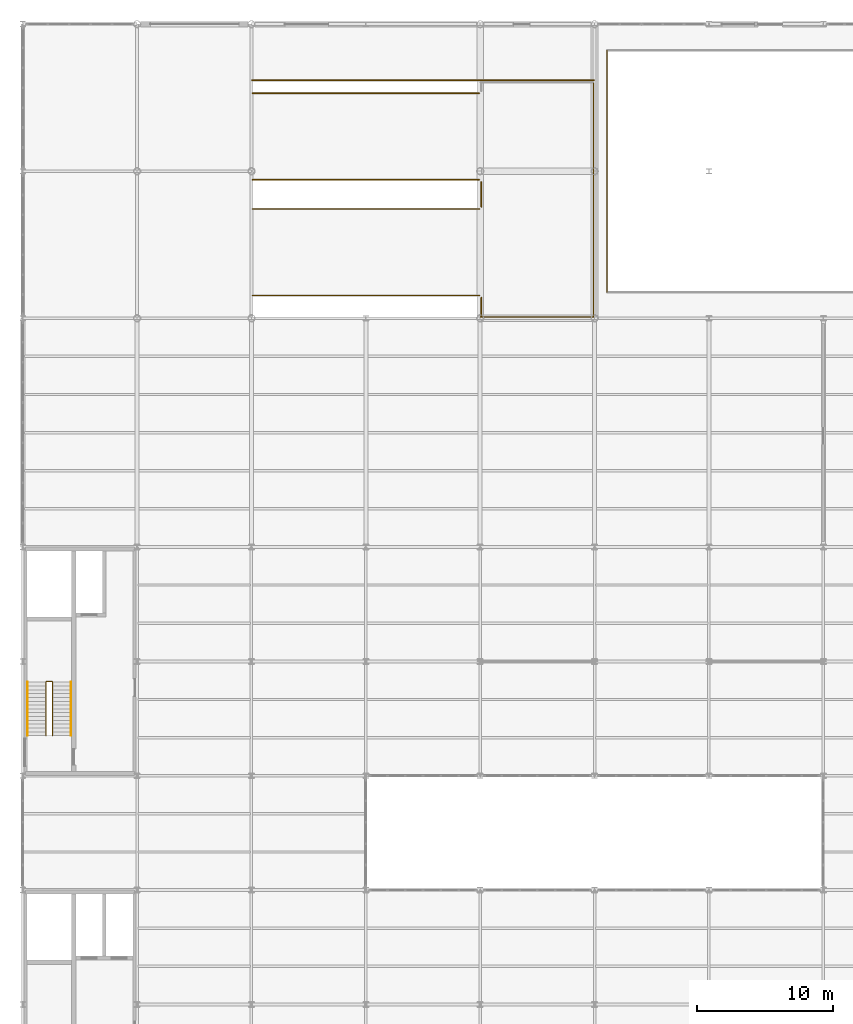
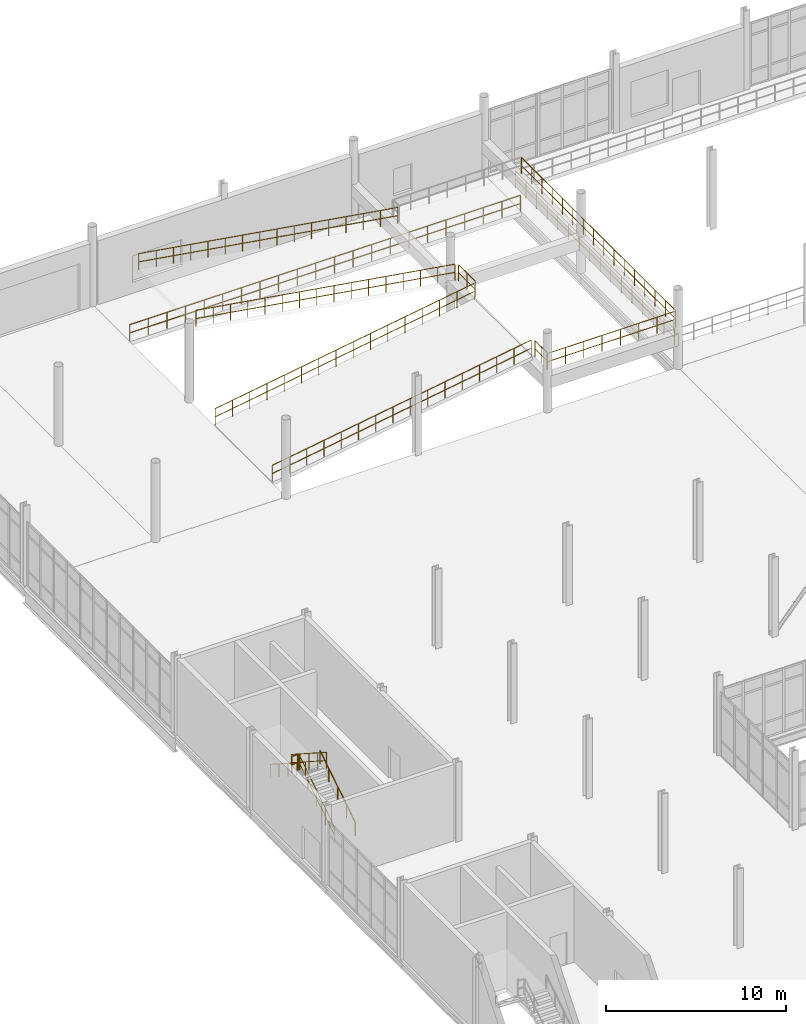
# One storey, part 108 of 111: 15 railings.
"""IFC4 building model written with IfcOpenShell, lengths in metres."""

import ifcopenshell
import ifcopenshell.guid

model = None  # the IFC model being written
_history = None  # IfcOwnerHistory: only IFC2X3 demands one
_inside = {}  # id of a spatial element -> (the spatial element, [elements in it])
_under = {}  # id of a project, library or spatial element -> (it, [spatial elements below it])
_declared = {}  # id of a project -> (the project, [libraries it declares])
_typed = {}  # id of a type object -> (the type object, [elements of that type])
_made_of = {}  # id of a material, layer set ... -> (it, [elements and type objects made of it])


def new_model(schema):
    """Start an empty IFC model of exactly this schema.

    Asked for "IFC4X3", IfcOpenShell would pick the latest addendum, in which some entities
    have other attributes; the version numbers below select the first issue.
    IFC2X3 requires an IfcOwnerHistory on every rooted entity: one is made here for all.
    """
    global model, _history
    if schema == "IFC4X3":
        model = ifcopenshell.file(schema_version=(4, 3, 0, 0))
    else:
        model = ifcopenshell.file(schema=schema)
    _inside.clear()
    _under.clear()
    _declared.clear()
    _typed.clear()
    _made_of.clear()
    _history = None
    if model.schema == "IFC2X3":
        org = make("IfcOrganization", Name="unknown")
        user = make(
            "IfcPersonAndOrganization",
            ThePerson=make("IfcPerson", FamilyName="unknown"),
            TheOrganization=org,
        )
        app = make(
            "IfcApplication",
            ApplicationDeveloper=org,
            Version="unknown",
            ApplicationFullName="unknown",
            ApplicationIdentifier="unknown",
        )
        _history = make(
            "IfcOwnerHistory",
            OwningUser=user,
            OwningApplication=app,
            ChangeAction="ADDED",
            CreationDate=0,
        )
    return model


def make(cls, **values):
    """One entity of the class cls with the attributes given. An attribute that is None is left unset."""
    return model.create_entity(
        cls, **{name: value for name, value in values.items() if value is not None}
    )


def rooted(cls, **values):
    """An entity with a GlobalId (a new one), such as an element, a storey or a relation."""
    return make(cls, GlobalId=ifcopenshell.guid.new(), OwnerHistory=_history, **values)


def si_unit(unit_type, name, prefix=None):
    """IfcSIUnit, for example si_unit("LENGTHUNIT", "METRE", prefix="MILLI")."""
    return make("IfcSIUnit", UnitType=unit_type, Prefix=prefix, Name=name)


def assignment(units):
    """IfcUnitAssignment: the units of a project."""
    return None if units is None else make("IfcUnitAssignment", Units=units)


def point(xyz):
    """IfcCartesianPoint."""
    return None if xyz is None else make("IfcCartesianPoint", Coordinates=xyz)


def direction(xyz):
    """IfcDirection."""
    return None if xyz is None else make("IfcDirection", DirectionRatios=xyz)


def frame(location, z_axis=None, x_axis=None):
    """IfcAxis2Placement3D, a coordinate frame: its origin and axes. An axis left out is left unset."""
    return make(
        "IfcAxis2Placement3D",
        Location=point(location),
        Axis=direction(z_axis),
        RefDirection=direction(x_axis),
    )


def frame_2d(location, x_axis=None):
    """IfcAxis2Placement2D, a coordinate frame in the plane: its origin and x axis."""
    return make(
        "IfcAxis2Placement2D", Location=point(location), RefDirection=direction(x_axis)
    )


def origin():
    """The frame at (0, 0, 0) with its axes left unset."""
    return frame((0.0, 0.0, 0.0))


def origin_2d():
    """The frame at (0, 0) in the plane with its x axis left unset."""
    return frame_2d((0.0, 0.0))


def place(relative_to, where):
    """IfcLocalPlacement: puts the frame where relative to a parent placement (None: the world)."""
    return make(
        "IfcLocalPlacement", PlacementRelTo=relative_to, RelativePlacement=where
    )


def context(
    kind, dimensions, precision=None, world=None, true_north=None, identifier=None
):
    """IfcGeometricRepresentationContext, for example the 3D "Model" context."""
    return make(
        "IfcGeometricRepresentationContext",
        ContextIdentifier=identifier,
        ContextType=kind,
        CoordinateSpaceDimension=dimensions,
        Precision=precision,
        WorldCoordinateSystem=world,
        TrueNorth=true_north,
    )


def subcontext(parent, identifier, kind, view, scale=None):
    """IfcGeometricRepresentationSubContext, for example "Body" below "Model"."""
    return make(
        "IfcGeometricRepresentationSubContext",
        ContextIdentifier=identifier,
        ContextType=kind,
        ParentContext=parent,
        TargetScale=scale,
        TargetView=view,
    )


def project(units=None, contexts=None):
    """IfcProject with its units and contexts."""
    return rooted(
        "IfcProject",
        Name="project",
        RepresentationContexts=contexts,
        UnitsInContext=assignment(units),
    )


def spatial(cls, under=None, at=None, **own):
    """A site, building, storey or space (cls), placed at a placement, below another one or the project."""
    s = rooted(cls, ObjectPlacement=at, **own)
    if under is not None:
        _under.setdefault(under.id(), (under, []))[1].append(s)
    return s


def profile(cls, at=None, kind="AREA", **sizes):
    """A parametric profile (cls). Its sizes go by their IFC names, for example OverallWidth=200.0."""
    return make(cls, ProfileType=kind, Position=at, **sizes)


def circle(**sizes):
    """IfcCircleProfileDef."""
    return profile("IfcCircleProfileDef", **sizes)


def extrude(swept, where, along, depth):
    """IfcExtrudedAreaSolid: the profile swept, set in the frame where, extruded along a direction by depth."""
    return make(
        "IfcExtrudedAreaSolid",
        SweptArea=swept,
        Position=where,
        ExtrudedDirection=direction(along),
        Depth=depth,
    )


def shape(context_of_items, identifier, shape_type, items):
    """IfcShapeRepresentation: the items that make up one representation, for example the "Body"."""
    return make(
        "IfcShapeRepresentation",
        ContextOfItems=context_of_items,
        RepresentationIdentifier=identifier,
        RepresentationType=shape_type,
        Items=items,
    )


def material(Name=None, Category=None):
    """IfcMaterial."""
    return make("IfcMaterial", Name=Name, Category=Category)


def made_of(thing, what):
    """Note that an element or type object is made of a material, layer set ...; save() writes the relation."""
    if what is not None:
        _made_of.setdefault(what.id(), (what, []))[1].append(thing)
    return thing


def type_object(cls, material=None, **own):
    """A type object (cls), such as IfcWallType, which elements share."""
    return made_of(rooted(cls, **own), material)


def element(
    cls,
    number,
    at=None,
    inside=None,
    cuts=None,
    type_object=None,
    material=None,
    context=None,
    identifier="Body",
    shape_type=None,
    held_by="IfcProductDefinitionShape",
    body=None,
    shapes=None,
    **own,
):
    """One element of the class cls, such as IfcWall. Its Tag is "e" and its number.

    at: its placement. inside: the storey or other place that contains it. cuts: it is an
    opening in that element (IfcRelVoidsElement). A single representation is given by context,
    identifier, shape_type and body (its items); several are given by shapes. held_by: the class
    of the entity that holds the representations. save() writes the other relations.
    """
    e = rooted(cls, Tag="e%d" % number, ObjectPlacement=at, **own)
    if body is not None:
        shapes = [shape(context, identifier, shape_type, body)]
    if shapes is not None:
        e.Representation = make(held_by, Representations=shapes)
    if inside is not None:
        _inside.setdefault(inside.id(), (inside, []))[1].append(e)
    if cuts is not None:
        rooted(
            "IfcRelVoidsElement", RelatingBuildingElement=cuts, RelatedOpeningElement=e
        )
    if type_object is not None:
        _typed.setdefault(type_object.id(), (type_object, []))[1].append(e)
    return made_of(e, material)


def aggregate(whole, parts):
    """IfcRelAggregates: a whole, such as a stair, and the parts it consists of."""
    return rooted("IfcRelAggregates", RelatingObject=whole, RelatedObjects=parts)


def save(model, path):
    """Write the relations noted so far, then the file.

    IfcRelAggregates (storeys below a building ...), IfcRelContainedInSpatialStructure (elements
    in a storey), IfcRelDefinesByType, IfcRelAssociatesMaterial and IfcRelDeclares: one each for
    every whole, place, type object, material and project.
    """
    for whole, parts in _under.values():
        aggregate(whole, parts)
    for where, things in _inside.values():
        rooted(
            "IfcRelContainedInSpatialStructure",
            RelatedElements=things,
            RelatingStructure=where,
        )
    for kind, things in _typed.values():
        rooted("IfcRelDefinesByType", RelatedObjects=things, RelatingType=kind)
    for what, things in _made_of.values():
        rooted("IfcRelAssociatesMaterial", RelatedObjects=things, RelatingMaterial=what)
    for by, libraries in _declared.values():
        rooted("IfcRelDeclares", RelatingContext=by, RelatedDefinitions=libraries)
    model.write(path)


model = new_model("IFC4")

# Units and contexts
model_context = context("Model", 3, precision=1e-05, world=origin(), true_north=direction((0.0, 1.0)))
body_context = subcontext(model_context, "Body", "Model", "MODEL_VIEW")
ifc_project = project(units=[si_unit("LENGTHUNIT", "METRE"), si_unit("AREAUNIT", "SQUARE_METRE"), si_unit("VOLUMEUNIT", "CUBIC_METRE"), si_unit("PLANEANGLEUNIT", "RADIAN"), si_unit("MASSUNIT", "GRAM", prefix="KILO"), si_unit("THERMODYNAMICTEMPERATUREUNIT", "KELVIN"), si_unit("POWERUNIT", "WATT")], contexts=[model_context])

# Site, building, storey
site_placement = place(None, origin())
site = spatial("IfcSite", under=ifc_project, at=site_placement, CompositionType="ELEMENT")
building_placement = place(site_placement, origin())
building = spatial("IfcBuilding", under=site, at=building_placement, Name="Tembeka Court Mobility Hub", CompositionType="ELEMENT")
storey_placement = place(building_placement, origin())
storey = spatial("IfcBuildingStorey", under=building, at=storey_placement, Name="L00", CompositionType="ELEMENT", Elevation=0.0)

# Railings
ifc_material_1 = material(Name="Painted galvanised steel balustrade", Category="steel")
railing_type_1 = type_object("IfcRailingType", Name="RL-GR01", PredefinedType="GUARDRAIL", material=ifc_material_1)
railing_1_placement = place(storey_placement, frame((2.199951171875, 66.550048828125, 0.179931640625)))
element("IfcRailing", 1, at=railing_1_placement, inside=storey, type_object=railing_type_1, Name="L00 ST03 stair guard 1-1", PredefinedType="GUARDRAIL", context=body_context, shape_type="SweptSolid", body=[
    extrude(circle(Radius=0.02392578125, at=origin_2d()), frame((0.0, 0.0, 1.09619140625), z_axis=(0.0, 0.841171666519, 0.540768182723), x_axis=(-1.0, 0.0, 0.0)), (0.0, 0.0, 1.0), 4.66015625),
    extrude(circle(Radius=0.02392578125, at=origin_2d()), frame((0.0, 0.0, 0.5361328125), z_axis=(0.0, 0.841171666519, 0.540768182723), x_axis=(-1.0, 0.0, 0.0)), (0.0, 0.0, 1.0), 4.66015625),
    extrude(circle(Radius=0.02099609375, at=origin_2d()), origin(), (0.0, 0.0, 1.0), 1.072021484375),
    extrude(circle(Radius=0.02099609375, at=origin_2d()), frame((0.0, 0.97998046875, 0.6298828125)), (0.0, 0.0, 1.0), 1.072021484375),
    extrude(circle(Radius=0.02099609375, at=origin_2d()), frame((0.0, 1.9599609375, 1.260009765625)), (0.0, 0.0, 1.0), 1.072021484375),
    extrude(circle(Radius=0.02099609375, at=origin_2d()), frame((0.0, 2.93994140625, 1.89013671875)), (0.0, 0.0, 1.0), 1.072021484375),
    extrude(circle(Radius=0.02099609375, at=origin_2d()), frame((0.0, 3.919921875, 2.52001953125)), (0.0, 0.0, 1.0), 1.072021484375),
])
railing_2_placement = place(storey_placement, frame((2.14990234375, 70.52001953125, 2.699951171875)))
element("IfcRailing", 2, at=railing_2_placement, inside=storey, type_object=railing_type_1, Name="L00 ST03 stair guard 2-1", PredefinedType="GUARDRAIL", context=body_context, shape_type="SweptSolid", body=[
    extrude(circle(Radius=0.02392578125, at=origin_2d()), frame((0.0, 0.0, 1.09619140625), z_axis=(-1.0, 0.0, 0.0), x_axis=(0.0, -1.0, 0.0)), (0.0, 0.0, 1.0), 0.39990234375),
    extrude(circle(Radius=0.02392578125, at=origin_2d()), frame((0.0, 0.0, 0.5361328125), z_axis=(-1.0, 0.0, 0.0), x_axis=(0.0, -1.0, 0.0)), (0.0, 0.0, 1.0), 0.39990234375),
    extrude(circle(Radius=0.02099609375, at=origin_2d()), origin(), (0.0, 0.0, 1.0), 1.072021484375),
    extrude(circle(Radius=0.02099609375, at=origin_2d()), frame((-0.39990234375, 0.0, 0.0)), (0.0, 0.0, 1.0), 1.072021484375),
])
railing_3_placement = place(storey_placement, frame((1.699951171875, 70.469970703125, 2.8798828125)))
element("IfcRailing", 3, at=railing_3_placement, inside=storey, type_object=railing_type_1, Name="L00 ST03 stair guard 3-1", PredefinedType="GUARDRAIL", context=body_context, shape_type="SweptSolid", body=[
    extrude(circle(Radius=0.02392578125, at=origin_2d()), frame((0.0, 0.0, 1.09619140625), z_axis=(0.0, -0.841171666519, 0.540768182723), x_axis=(1.0, 0.0, 0.0)), (0.0, 0.0, 1.0), 4.66015625),
    extrude(circle(Radius=0.02392578125, at=origin_2d()), frame((0.0, 0.0, 0.5361328125), z_axis=(0.0, -0.841171666519, 0.540768182723), x_axis=(1.0, 0.0, 0.0)), (0.0, 0.0, 1.0), 4.66015625),
    extrude(circle(Radius=0.02099609375, at=origin_2d()), origin(), (0.0, 0.0, 1.0), 1.072021484375),
    extrude(circle(Radius=0.02099609375, at=origin_2d()), frame((0.0, -0.97998046875, 0.6298828125)), (0.0, 0.0, 1.0), 1.072021484375),
    extrude(circle(Radius=0.02099609375, at=origin_2d()), frame((0.0, -1.9599609375, 1.260009765625)), (0.0, 0.0, 1.0), 1.072021484375),
    extrude(circle(Radius=0.02099609375, at=origin_2d()), frame((0.0, -2.93994140625, 1.89013671875)), (0.0, 0.0, 1.0), 1.072021484375),
    extrude(circle(Radius=0.02099609375, at=origin_2d()), frame((0.0, -3.919921875, 2.52001953125)), (0.0, 0.0, 1.0), 1.072021484375),
])
railing_type_2 = type_object("IfcRailingType", Name="RL-GR02", PredefinedType="GUARDRAIL", material=ifc_material_1)
railing_4_placement = place(storey_placement, frame((42.89990234375, 116.8701171875, 0.0)))
element("IfcRailing", 4, at=railing_4_placement, inside=storey, type_object=railing_type_2, Name="Perimeter guard GR02-0016", PredefinedType="GUARDRAIL", context=body_context, shape_type="SweptSolid", body=[
    extrude(circle(Radius=0.02392578125, at=origin_2d()), frame((0.0, 0.0, 1.09619140625), z_axis=(0.0, -1.0, 0.0), x_axis=(1.0, 0.0, 0.0)), (0.0, 0.0, 1.0), 17.740234375),
    extrude(circle(Radius=0.02392578125, at=origin_2d()), frame((0.0, 0.0, 0.5361328125), z_axis=(0.0, -1.0, 0.0), x_axis=(1.0, 0.0, 0.0)), (0.0, 0.0, 1.0), 17.740234375),
    extrude(circle(Radius=0.02099609375, at=origin_2d()), origin(), (0.0, 0.0, 1.0), 1.072021484375),
    extrude(circle(Radius=0.02099609375, at=origin_2d()), frame((0.0, -1.1826171875, 0.0)), (0.0, 0.0, 1.0), 1.072021484375),
    extrude(circle(Radius=0.02099609375, at=origin_2d()), frame((0.0, -2.365478515625, 0.0)), (0.0, 0.0, 1.0), 1.072021484375),
    extrude(circle(Radius=0.02099609375, at=origin_2d()), frame((0.0, -3.548095703125, 0.0)), (0.0, 0.0, 1.0), 1.072021484375),
    extrude(circle(Radius=0.02099609375, at=origin_2d()), frame((0.0, -4.730712890625, 0.0)), (0.0, 0.0, 1.0), 1.072021484375),
    extrude(circle(Radius=0.02099609375, at=origin_2d()), frame((0.0, -5.913330078125, 0.0)), (0.0, 0.0, 1.0), 1.072021484375),
    extrude(circle(Radius=0.02099609375, at=origin_2d()), frame((0.0, -7.09619140625, 0.0)), (0.0, 0.0, 1.0), 1.072021484375),
    extrude(circle(Radius=0.02099609375, at=origin_2d()), frame((0.0, -8.27880859375, 0.0)), (0.0, 0.0, 1.0), 1.072021484375),
    extrude(circle(Radius=0.02099609375, at=origin_2d()), frame((0.0, -9.46142578125, 0.0)), (0.0, 0.0, 1.0), 1.072021484375),
    extrude(circle(Radius=0.02099609375, at=origin_2d()), frame((0.0, -10.64404296875, 0.0)), (0.0, 0.0, 1.0), 1.072021484375),
    extrude(circle(Radius=0.02099609375, at=origin_2d()), frame((0.0, -11.826904296875, 0.0)), (0.0, 0.0, 1.0), 1.072021484375),
    extrude(circle(Radius=0.02099609375, at=origin_2d()), frame((0.0, -13.009521484375, 0.0)), (0.0, 0.0, 1.0), 1.072021484375),
    extrude(circle(Radius=0.02099609375, at=origin_2d()), frame((0.0, -14.192138671875, 0.0)), (0.0, 0.0, 1.0), 1.072021484375),
    extrude(circle(Radius=0.02099609375, at=origin_2d()), frame((0.0, -15.374755859375, 0.0)), (0.0, 0.0, 1.0), 1.072021484375),
    extrude(circle(Radius=0.02099609375, at=origin_2d()), frame((0.0, -16.5576171875, 0.0)), (0.0, 0.0, 1.0), 1.072021484375),
    extrude(circle(Radius=0.02099609375, at=origin_2d()), frame((0.0, -17.740234375, 0.0)), (0.0, 0.0, 1.0), 1.072021484375),
])
railing_5_placement = place(storey_placement, frame((16.830078125, 114.679931640625, 0.0)))
element("IfcRailing", 5, at=railing_5_placement, inside=storey, type_object=railing_type_2, Name="Perimeter guard GR02-0183", PredefinedType="GUARDRAIL", context=body_context, shape_type="SweptSolid", body=[
    extrude(circle(Radius=0.02392578125, at=origin_2d()), frame((0.0, 0.0, 1.09619140625), z_axis=(1.0, 0.0, 0.0), x_axis=(0.0, 1.0, 0.0)), (0.0, 0.0, 1.0), 25.139892578125),
    extrude(circle(Radius=0.02392578125, at=origin_2d()), frame((0.0, 0.0, 0.5361328125), z_axis=(1.0, 0.0, 0.0), x_axis=(0.0, 1.0, 0.0)), (0.0, 0.0, 1.0), 25.139892578125),
    extrude(circle(Radius=0.02099609375, at=origin_2d()), origin(), (0.0, 0.0, 1.0), 1.072021484375),
    extrude(circle(Radius=0.02099609375, at=origin_2d()), frame((1.197021484375, 0.0, 0.0)), (0.0, 0.0, 1.0), 1.072021484375),
    extrude(circle(Radius=0.02099609375, at=origin_2d()), frame((2.394287109375, 0.0, 0.0)), (0.0, 0.0, 1.0), 1.072021484375),
    extrude(circle(Radius=0.02099609375, at=origin_2d()), frame((3.59130859375, 0.0, 0.0)), (0.0, 0.0, 1.0), 1.072021484375),
    extrude(circle(Radius=0.02099609375, at=origin_2d()), frame((4.78857421875, 0.0, 0.0)), (0.0, 0.0, 1.0), 1.072021484375),
    extrude(circle(Radius=0.02099609375, at=origin_2d()), frame((5.985595703125, 0.0, 0.0)), (0.0, 0.0, 1.0), 1.072021484375),
    extrude(circle(Radius=0.02099609375, at=origin_2d()), frame((7.182861328125, 0.0, 0.0)), (0.0, 0.0, 1.0), 1.072021484375),
    extrude(circle(Radius=0.02099609375, at=origin_2d()), frame((8.3798828125, 0.0, 0.0)), (0.0, 0.0, 1.0), 1.072021484375),
    extrude(circle(Radius=0.02099609375, at=origin_2d()), frame((9.5771484375, 0.0, 0.0)), (0.0, 0.0, 1.0), 1.072021484375),
    extrude(circle(Radius=0.02099609375, at=origin_2d()), frame((10.774169921875, 0.0, 0.0)), (0.0, 0.0, 1.0), 1.072021484375),
    extrude(circle(Radius=0.02099609375, at=origin_2d()), frame((11.971435546875, 0.0, 0.0)), (0.0, 0.0, 1.0), 1.072021484375),
    extrude(circle(Radius=0.02099609375, at=origin_2d()), frame((13.16845703125, 0.0, 0.0)), (0.0, 0.0, 1.0), 1.072021484375),
    extrude(circle(Radius=0.02099609375, at=origin_2d()), frame((14.36572265625, 0.0, 0.0)), (0.0, 0.0, 1.0), 1.072021484375),
    extrude(circle(Radius=0.02099609375, at=origin_2d()), frame((15.562744140625, 0.0, 0.0)), (0.0, 0.0, 1.0), 1.072021484375),
    extrude(circle(Radius=0.02099609375, at=origin_2d()), frame((16.760009765625, 0.0, 0.0)), (0.0, 0.0, 1.0), 1.072021484375),
    extrude(circle(Radius=0.02099609375, at=origin_2d()), frame((17.95703125, 0.0, 0.0)), (0.0, 0.0, 1.0), 1.072021484375),
    extrude(circle(Radius=0.02099609375, at=origin_2d()), frame((19.154296875, 0.0, 0.0)), (0.0, 0.0, 1.0), 1.072021484375),
    extrude(circle(Radius=0.02099609375, at=origin_2d()), frame((20.351318359375, 0.0, 0.0)), (0.0, 0.0, 1.0), 1.072021484375),
    extrude(circle(Radius=0.02099609375, at=origin_2d()), frame((21.548583984375, 0.0, 0.0)), (0.0, 0.0, 1.0), 1.072021484375),
    extrude(circle(Radius=0.02099609375, at=origin_2d()), frame((22.74560546875, 0.0, 0.0)), (0.0, 0.0, 1.0), 1.072021484375),
    extrude(circle(Radius=0.02099609375, at=origin_2d()), frame((23.94287109375, 0.0, 0.0)), (0.0, 0.0, 1.0), 1.072021484375),
    extrude(circle(Radius=0.02099609375, at=origin_2d()), frame((25.139892578125, 0.0, 0.0)), (0.0, 0.0, 1.0), 1.072021484375),
])
railing_6_placement = place(storey_placement, frame((16.86962890625, 98.8701171875, 0.0048828125)))
element("IfcRailing", 6, at=railing_6_placement, inside=storey, type_object=railing_type_2, Name="Perimeter guard GR02-0212", PredefinedType="GUARDRAIL", context=body_context, shape_type="SweptSolid", body=[
    extrude(circle(Radius=0.02392578125, at=origin_2d()), frame((0.0, 0.0, 1.09619140625), z_axis=(0.987211393699, 0.0, 0.159416636997), x_axis=(0.0, 1.0, 0.0)), (0.0, 0.0, 1.0), 16.876708984375),
    extrude(circle(Radius=0.02392578125, at=origin_2d()), frame((0.0, 0.0, 0.5361328125), z_axis=(0.987211393699, 0.0, 0.159416636997), x_axis=(0.0, 1.0, 0.0)), (0.0, 0.0, 1.0), 16.876708984375),
    extrude(circle(Radius=0.02099609375, at=origin_2d()), origin(), (0.0, 0.0, 1.0), 1.072021484375),
    extrude(circle(Radius=0.02099609375, at=origin_2d()), frame((1.11083984375, 0.0, 0.179443359375)), (0.0, 0.0, 1.0), 1.072021484375),
    extrude(circle(Radius=0.02099609375, at=origin_2d()), frame((2.221435546875, 0.0, 0.358642578125)), (0.0, 0.0, 1.0), 1.072021484375),
    extrude(circle(Radius=0.02099609375, at=origin_2d()), frame((3.332275390625, 0.0, 0.5380859375)), (0.0, 0.0, 1.0), 1.072021484375),
    extrude(circle(Radius=0.02099609375, at=origin_2d()), frame((4.44287109375, 0.0, 0.717529296875)), (0.0, 0.0, 1.0), 1.072021484375),
    extrude(circle(Radius=0.02099609375, at=origin_2d()), frame((5.5537109375, 0.0, 0.896728515625)), (0.0, 0.0, 1.0), 1.072021484375),
    extrude(circle(Radius=0.02099609375, at=origin_2d()), frame((6.664306640625, 0.0, 1.076171875)), (0.0, 0.0, 1.0), 1.072021484375),
    extrude(circle(Radius=0.02099609375, at=origin_2d()), frame((7.775146484375, 0.0, 1.255615234375)), (0.0, 0.0, 1.0), 1.072021484375),
    extrude(circle(Radius=0.02099609375, at=origin_2d()), frame((8.8857421875, 0.0, 1.434814453125)), (0.0, 0.0, 1.0), 1.072021484375),
    extrude(circle(Radius=0.02099609375, at=origin_2d()), frame((9.99658203125, 0.0, 1.6142578125)), (0.0, 0.0, 1.0), 1.072021484375),
    extrude(circle(Radius=0.02099609375, at=origin_2d()), frame((11.107177734375, 0.0, 1.793701171875)), (0.0, 0.0, 1.0), 1.072021484375),
    extrude(circle(Radius=0.02099609375, at=origin_2d()), frame((12.218017578125, 0.0, 1.972900390625)), (0.0, 0.0, 1.0), 1.072021484375),
    extrude(circle(Radius=0.02099609375, at=origin_2d()), frame((13.32861328125, 0.0, 2.15234375)), (0.0, 0.0, 1.0), 1.072021484375),
    extrude(circle(Radius=0.02099609375, at=origin_2d()), frame((14.439453125, 0.0, 2.331787109375)), (0.0, 0.0, 1.0), 1.072021484375),
    extrude(circle(Radius=0.02099609375, at=origin_2d()), frame((15.550048828125, 0.0, 2.510986328125)), (0.0, 0.0, 1.0), 1.072021484375),
    extrude(circle(Radius=0.02099609375, at=origin_2d()), frame((16.660888671875, 0.0, 2.6904296875)), (0.0, 0.0, 1.0), 1.072021484375),
])
railing_7_placement = place(storey_placement, frame((33.530517578125, 107.3701171875, 2.704833984375)))
element("IfcRailing", 7, at=railing_7_placement, inside=storey, type_object=railing_type_2, Name="Perimeter guard GR02-0213", PredefinedType="GUARDRAIL", context=body_context, shape_type="SweptSolid", body=[
    extrude(circle(Radius=0.02392578125, at=origin_2d()), frame((0.0, 0.0, 1.09619140625), z_axis=(-0.987211393699, 0.0, 0.159416636997), x_axis=(0.0, -1.0, 0.0)), (0.0, 0.0, 1.0), 16.876708984375),
    extrude(circle(Radius=0.02392578125, at=origin_2d()), frame((0.0, 0.0, 0.5361328125), z_axis=(-0.987211393699, 0.0, 0.159416636997), x_axis=(0.0, -1.0, 0.0)), (0.0, 0.0, 1.0), 16.876708984375),
    extrude(circle(Radius=0.02099609375, at=origin_2d()), origin(), (0.0, 0.0, 1.0), 1.072021484375),
    extrude(circle(Radius=0.02099609375, at=origin_2d()), frame((-1.11083984375, 0.0, 0.179443359375)), (0.0, 0.0, 1.0), 1.072021484375),
    extrude(circle(Radius=0.02099609375, at=origin_2d()), frame((-2.221435546875, 0.0, 0.358642578125)), (0.0, 0.0, 1.0), 1.072021484375),
    extrude(circle(Radius=0.02099609375, at=origin_2d()), frame((-3.332275390625, 0.0, 0.5380859375)), (0.0, 0.0, 1.0), 1.072021484375),
    extrude(circle(Radius=0.02099609375, at=origin_2d()), frame((-4.44287109375, 0.0, 0.717529296875)), (0.0, 0.0, 1.0), 1.072021484375),
    extrude(circle(Radius=0.02099609375, at=origin_2d()), frame((-5.5537109375, 0.0, 0.896728515625)), (0.0, 0.0, 1.0), 1.072021484375),
    extrude(circle(Radius=0.02099609375, at=origin_2d()), frame((-6.664306640625, 0.0, 1.076171875)), (0.0, 0.0, 1.0), 1.072021484375),
    extrude(circle(Radius=0.02099609375, at=origin_2d()), frame((-7.775146484375, 0.0, 1.255615234375)), (0.0, 0.0, 1.0), 1.072021484375),
    extrude(circle(Radius=0.02099609375, at=origin_2d()), frame((-8.8857421875, 0.0, 1.434814453125)), (0.0, 0.0, 1.0), 1.072021484375),
    extrude(circle(Radius=0.02099609375, at=origin_2d()), frame((-9.99658203125, 0.0, 1.6142578125)), (0.0, 0.0, 1.0), 1.072021484375),
    extrude(circle(Radius=0.02099609375, at=origin_2d()), frame((-11.107177734375, 0.0, 1.793701171875)), (0.0, 0.0, 1.0), 1.072021484375),
    extrude(circle(Radius=0.02099609375, at=origin_2d()), frame((-12.218017578125, 0.0, 1.972900390625)), (0.0, 0.0, 1.0), 1.072021484375),
    extrude(circle(Radius=0.02099609375, at=origin_2d()), frame((-13.32861328125, 0.0, 2.15234375)), (0.0, 0.0, 1.0), 1.072021484375),
    extrude(circle(Radius=0.02099609375, at=origin_2d()), frame((-14.439453125, 0.0, 2.331787109375)), (0.0, 0.0, 1.0), 1.072021484375),
    extrude(circle(Radius=0.02099609375, at=origin_2d()), frame((-15.550048828125, 0.0, 2.510986328125)), (0.0, 0.0, 1.0), 1.072021484375),
    extrude(circle(Radius=0.02099609375, at=origin_2d()), frame((-16.660888671875, 0.0, 2.6904296875)), (0.0, 0.0, 1.0), 1.072021484375),
])
railing_8_placement = place(storey_placement, frame((16.86962890625, 105.22998046875, 0.0048828125)))
element("IfcRailing", 8, at=railing_8_placement, inside=storey, type_object=railing_type_2, Name="Perimeter guard GR02-0214", PredefinedType="GUARDRAIL", context=body_context, shape_type="SweptSolid", body=[
    extrude(circle(Radius=0.02392578125, at=origin_2d()), frame((0.0, 0.0, 1.09619140625), z_axis=(0.987211393699, 0.0, 0.159416636997), x_axis=(0.0, 1.0, 0.0)), (0.0, 0.0, 1.0), 16.876708984375),
    extrude(circle(Radius=0.02392578125, at=origin_2d()), frame((0.0, 0.0, 0.5361328125), z_axis=(0.987211393699, 0.0, 0.159416636997), x_axis=(0.0, 1.0, 0.0)), (0.0, 0.0, 1.0), 16.876708984375),
    extrude(circle(Radius=0.02099609375, at=origin_2d()), origin(), (0.0, 0.0, 1.0), 1.072021484375),
    extrude(circle(Radius=0.02099609375, at=origin_2d()), frame((1.11083984375, 0.0, 0.179443359375)), (0.0, 0.0, 1.0), 1.072021484375),
    extrude(circle(Radius=0.02099609375, at=origin_2d()), frame((2.221435546875, 0.0, 0.358642578125)), (0.0, 0.0, 1.0), 1.072021484375),
    extrude(circle(Radius=0.02099609375, at=origin_2d()), frame((3.332275390625, 0.0, 0.5380859375)), (0.0, 0.0, 1.0), 1.072021484375),
    extrude(circle(Radius=0.02099609375, at=origin_2d()), frame((4.44287109375, 0.0, 0.717529296875)), (0.0, 0.0, 1.0), 1.072021484375),
    extrude(circle(Radius=0.02099609375, at=origin_2d()), frame((5.5537109375, 0.0, 0.896728515625)), (0.0, 0.0, 1.0), 1.072021484375),
    extrude(circle(Radius=0.02099609375, at=origin_2d()), frame((6.664306640625, 0.0, 1.076171875)), (0.0, 0.0, 1.0), 1.072021484375),
    extrude(circle(Radius=0.02099609375, at=origin_2d()), frame((7.775146484375, 0.0, 1.255615234375)), (0.0, 0.0, 1.0), 1.072021484375),
    extrude(circle(Radius=0.02099609375, at=origin_2d()), frame((8.8857421875, 0.0, 1.434814453125)), (0.0, 0.0, 1.0), 1.072021484375),
    extrude(circle(Radius=0.02099609375, at=origin_2d()), frame((9.99658203125, 0.0, 1.6142578125)), (0.0, 0.0, 1.0), 1.072021484375),
    extrude(circle(Radius=0.02099609375, at=origin_2d()), frame((11.107177734375, 0.0, 1.793701171875)), (0.0, 0.0, 1.0), 1.072021484375),
    extrude(circle(Radius=0.02099609375, at=origin_2d()), frame((12.218017578125, 0.0, 1.972900390625)), (0.0, 0.0, 1.0), 1.072021484375),
    extrude(circle(Radius=0.02099609375, at=origin_2d()), frame((13.32861328125, 0.0, 2.15234375)), (0.0, 0.0, 1.0), 1.072021484375),
    extrude(circle(Radius=0.02099609375, at=origin_2d()), frame((14.439453125, 0.0, 2.331787109375)), (0.0, 0.0, 1.0), 1.072021484375),
    extrude(circle(Radius=0.02099609375, at=origin_2d()), frame((15.550048828125, 0.0, 2.510986328125)), (0.0, 0.0, 1.0), 1.072021484375),
    extrude(circle(Radius=0.02099609375, at=origin_2d()), frame((16.660888671875, 0.0, 2.6904296875)), (0.0, 0.0, 1.0), 1.072021484375),
])
railing_9_placement = place(storey_placement, frame((33.530517578125, 113.72998046875, 2.704833984375)))
element("IfcRailing", 9, at=railing_9_placement, inside=storey, type_object=railing_type_2, Name="Perimeter guard GR02-0215", PredefinedType="GUARDRAIL", context=body_context, shape_type="SweptSolid", body=[
    extrude(circle(Radius=0.02392578125, at=origin_2d()), frame((0.0, 0.0, 1.09619140625), z_axis=(-0.987211393699, 0.0, 0.159416636997), x_axis=(0.0, -1.0, 0.0)), (0.0, 0.0, 1.0), 16.876708984375),
    extrude(circle(Radius=0.02392578125, at=origin_2d()), frame((0.0, 0.0, 0.5361328125), z_axis=(-0.987211393699, 0.0, 0.159416636997), x_axis=(0.0, -1.0, 0.0)), (0.0, 0.0, 1.0), 16.876708984375),
    extrude(circle(Radius=0.02099609375, at=origin_2d()), origin(), (0.0, 0.0, 1.0), 1.072021484375),
    extrude(circle(Radius=0.02099609375, at=origin_2d()), frame((-1.11083984375, 0.0, 0.179443359375)), (0.0, 0.0, 1.0), 1.072021484375),
    extrude(circle(Radius=0.02099609375, at=origin_2d()), frame((-2.221435546875, 0.0, 0.358642578125)), (0.0, 0.0, 1.0), 1.072021484375),
    extrude(circle(Radius=0.02099609375, at=origin_2d()), frame((-3.332275390625, 0.0, 0.5380859375)), (0.0, 0.0, 1.0), 1.072021484375),
    extrude(circle(Radius=0.02099609375, at=origin_2d()), frame((-4.44287109375, 0.0, 0.717529296875)), (0.0, 0.0, 1.0), 1.072021484375),
    extrude(circle(Radius=0.02099609375, at=origin_2d()), frame((-5.5537109375, 0.0, 0.896728515625)), (0.0, 0.0, 1.0), 1.072021484375),
    extrude(circle(Radius=0.02099609375, at=origin_2d()), frame((-6.664306640625, 0.0, 1.076171875)), (0.0, 0.0, 1.0), 1.072021484375),
    extrude(circle(Radius=0.02099609375, at=origin_2d()), frame((-7.775146484375, 0.0, 1.255615234375)), (0.0, 0.0, 1.0), 1.072021484375),
    extrude(circle(Radius=0.02099609375, at=origin_2d()), frame((-8.8857421875, 0.0, 1.434814453125)), (0.0, 0.0, 1.0), 1.072021484375),
    extrude(circle(Radius=0.02099609375, at=origin_2d()), frame((-9.99658203125, 0.0, 1.6142578125)), (0.0, 0.0, 1.0), 1.072021484375),
    extrude(circle(Radius=0.02099609375, at=origin_2d()), frame((-11.107177734375, 0.0, 1.793701171875)), (0.0, 0.0, 1.0), 1.072021484375),
    extrude(circle(Radius=0.02099609375, at=origin_2d()), frame((-12.218017578125, 0.0, 1.972900390625)), (0.0, 0.0, 1.0), 1.072021484375),
    extrude(circle(Radius=0.02099609375, at=origin_2d()), frame((-13.32861328125, 0.0, 2.15234375)), (0.0, 0.0, 1.0), 1.072021484375),
    extrude(circle(Radius=0.02099609375, at=origin_2d()), frame((-14.439453125, 0.0, 2.331787109375)), (0.0, 0.0, 1.0), 1.072021484375),
    extrude(circle(Radius=0.02099609375, at=origin_2d()), frame((-15.550048828125, 0.0, 2.510986328125)), (0.0, 0.0, 1.0), 1.072021484375),
    extrude(circle(Radius=0.02099609375, at=origin_2d()), frame((-16.660888671875, 0.0, 2.6904296875)), (0.0, 0.0, 1.0), 1.072021484375),
])
railing_10_placement = place(storey_placement, frame((33.6298828125, 97.280029296875, 2.699951171875)))
element("IfcRailing", 10, at=railing_10_placement, inside=storey, type_object=railing_type_2, Name="Perimeter guard GR02-0216", PredefinedType="GUARDRAIL", context=body_context, shape_type="SweptSolid", body=[
    extrude(circle(Radius=0.02392578125, at=origin_2d()), frame((0.0, 0.0, 1.09619140625), z_axis=(1.0, 0.0, 0.0), x_axis=(0.0, 1.0, 0.0)), (0.0, 0.0, 1.0), 8.260009765625),
    extrude(circle(Radius=0.02392578125, at=origin_2d()), frame((0.0, 0.0, 0.5361328125), z_axis=(1.0, 0.0, 0.0), x_axis=(0.0, 1.0, 0.0)), (0.0, 0.0, 1.0), 8.260009765625),
    extrude(circle(Radius=0.02099609375, at=origin_2d()), origin(), (0.0, 0.0, 1.0), 1.072021484375),
    extrude(circle(Radius=0.02099609375, at=origin_2d()), frame((1.179931640625, 0.0, 0.0)), (0.0, 0.0, 1.0), 1.072021484375),
    extrude(circle(Radius=0.02099609375, at=origin_2d()), frame((2.360107421875, 0.0, 0.0)), (0.0, 0.0, 1.0), 1.072021484375),
    extrude(circle(Radius=0.02099609375, at=origin_2d()), frame((3.5400390625, 0.0, 0.0)), (0.0, 0.0, 1.0), 1.072021484375),
    extrude(circle(Radius=0.02099609375, at=origin_2d()), frame((4.719970703125, 0.0, 0.0)), (0.0, 0.0, 1.0), 1.072021484375),
    extrude(circle(Radius=0.02099609375, at=origin_2d()), frame((5.89990234375, 0.0, 0.0)), (0.0, 0.0, 1.0), 1.072021484375),
    extrude(circle(Radius=0.02099609375, at=origin_2d()), frame((7.080078125, 0.0, 0.0)), (0.0, 0.0, 1.0), 1.072021484375),
    extrude(circle(Radius=0.02099609375, at=origin_2d()), frame((8.260009765625, 0.0, 0.0)), (0.0, 0.0, 1.0), 1.072021484375),
])
railing_11_placement = place(storey_placement, frame((41.919921875, 97.31005859375, 2.699951171875)))
element("IfcRailing", 11, at=railing_11_placement, inside=storey, type_object=railing_type_2, Name="Perimeter guard GR02-0217", PredefinedType="GUARDRAIL", context=body_context, shape_type="SweptSolid", body=[
    extrude(circle(Radius=0.02392578125, at=origin_2d()), frame((0.0, 0.0, 1.09619140625), z_axis=(0.0, 1.0, 0.0), x_axis=(-1.0, 0.0, 0.0)), (0.0, 0.0, 1.0), 17.179931640625),
    extrude(circle(Radius=0.02392578125, at=origin_2d()), frame((0.0, 0.0, 0.5361328125), z_axis=(0.0, 1.0, 0.0), x_axis=(-1.0, 0.0, 0.0)), (0.0, 0.0, 1.0), 17.179931640625),
    extrude(circle(Radius=0.02099609375, at=origin_2d()), origin(), (0.0, 0.0, 1.0), 1.072021484375),
    extrude(circle(Radius=0.02099609375, at=origin_2d()), frame((0.0, 1.145263671875, 0.0)), (0.0, 0.0, 1.0), 1.072021484375),
    extrude(circle(Radius=0.02099609375, at=origin_2d()), frame((0.0, 2.290771484375, 0.0)), (0.0, 0.0, 1.0), 1.072021484375),
    extrude(circle(Radius=0.02099609375, at=origin_2d()), frame((0.0, 3.43603515625, 0.0)), (0.0, 0.0, 1.0), 1.072021484375),
    extrude(circle(Radius=0.02099609375, at=origin_2d()), frame((0.0, 4.581298828125, 0.0)), (0.0, 0.0, 1.0), 1.072021484375),
    extrude(circle(Radius=0.02099609375, at=origin_2d()), frame((0.0, 5.7265625, 0.0)), (0.0, 0.0, 1.0), 1.072021484375),
    extrude(circle(Radius=0.02099609375, at=origin_2d()), frame((0.0, 6.8720703125, 0.0)), (0.0, 0.0, 1.0), 1.072021484375),
    extrude(circle(Radius=0.02099609375, at=origin_2d()), frame((0.0, 8.017333984375, 0.0)), (0.0, 0.0, 1.0), 1.072021484375),
    extrude(circle(Radius=0.02099609375, at=origin_2d()), frame((0.0, 9.16259765625, 0.0)), (0.0, 0.0, 1.0), 1.072021484375),
    extrude(circle(Radius=0.02099609375, at=origin_2d()), frame((0.0, 10.307861328125, 0.0)), (0.0, 0.0, 1.0), 1.072021484375),
    extrude(circle(Radius=0.02099609375, at=origin_2d()), frame((0.0, 11.453369140625, 0.0)), (0.0, 0.0, 1.0), 1.072021484375),
    extrude(circle(Radius=0.02099609375, at=origin_2d()), frame((0.0, 12.5986328125, 0.0)), (0.0, 0.0, 1.0), 1.072021484375),
    extrude(circle(Radius=0.02099609375, at=origin_2d()), frame((0.0, 13.743896484375, 0.0)), (0.0, 0.0, 1.0), 1.072021484375),
    extrude(circle(Radius=0.02099609375, at=origin_2d()), frame((0.0, 14.88916015625, 0.0)), (0.0, 0.0, 1.0), 1.072021484375),
    extrude(circle(Radius=0.02099609375, at=origin_2d()), frame((0.0, 16.03466796875, 0.0)), (0.0, 0.0, 1.0), 1.072021484375),
    extrude(circle(Radius=0.02099609375, at=origin_2d()), frame((0.0, 17.179931640625, 0.0)), (0.0, 0.0, 1.0), 1.072021484375),
])
railing_12_placement = place(storey_placement, frame((33.679931640625, 97.31005859375, 2.699951171875)))
element("IfcRailing", 12, at=railing_12_placement, inside=storey, type_object=railing_type_2, Name="Perimeter guard GR02-0219", PredefinedType="GUARDRAIL", context=body_context, shape_type="SweptSolid", body=[
    extrude(circle(Radius=0.02392578125, at=origin_2d()), frame((0.0, 0.0, 1.09619140625), z_axis=(0.0, 1.0, 0.0), x_axis=(-1.0, 0.0, 0.0)), (0.0, 0.0, 1.0), 1.409912109375),
    extrude(circle(Radius=0.02392578125, at=origin_2d()), frame((0.0, 0.0, 0.5361328125), z_axis=(0.0, 1.0, 0.0), x_axis=(-1.0, 0.0, 0.0)), (0.0, 0.0, 1.0), 1.409912109375),
    extrude(circle(Radius=0.02099609375, at=origin_2d()), origin(), (0.0, 0.0, 1.0), 1.072021484375),
    extrude(circle(Radius=0.02099609375, at=origin_2d()), frame((0.0, 0.705078125, 0.0)), (0.0, 0.0, 1.0), 1.072021484375),
    extrude(circle(Radius=0.02099609375, at=origin_2d()), frame((0.0, 1.409912109375, 0.0)), (0.0, 0.0, 1.0), 1.072021484375),
])
railing_13_placement = place(storey_placement, frame((33.679931640625, 105.3798828125, 2.699951171875)))
element("IfcRailing", 13, at=railing_13_placement, inside=storey, type_object=railing_type_2, Name="Perimeter guard GR02-0220", PredefinedType="GUARDRAIL", context=body_context, shape_type="SweptSolid", body=[
    extrude(circle(Radius=0.02392578125, at=origin_2d()), frame((0.0, 0.0, 1.09619140625), z_axis=(0.0, 1.0, 0.0), x_axis=(-1.0, 0.0, 0.0)), (0.0, 0.0, 1.0), 1.840087890625),
    extrude(circle(Radius=0.02392578125, at=origin_2d()), frame((0.0, 0.0, 0.5361328125), z_axis=(0.0, 1.0, 0.0), x_axis=(-1.0, 0.0, 0.0)), (0.0, 0.0, 1.0), 1.840087890625),
    extrude(circle(Radius=0.02099609375, at=origin_2d()), origin(), (0.0, 0.0, 1.0), 1.072021484375),
    extrude(circle(Radius=0.02099609375, at=origin_2d()), frame((0.0, 0.919921875, 0.0)), (0.0, 0.0, 1.0), 1.072021484375),
    extrude(circle(Radius=0.02099609375, at=origin_2d()), frame((0.0, 1.840087890625, 0.0)), (0.0, 0.0, 1.0), 1.072021484375),
])
ifc_material_2 = material(Name="Brushed stainless steel handrail", Category="steel")
railing_type_3 = type_object("IfcRailingType", Name="RL-HR01", PredefinedType="HANDRAIL", material=ifc_material_2)
railing_14_placement = place(storey_placement, frame((3.550048828125, 66.550048828125, 0.179931640625)))
element("IfcRailing", 14, at=railing_14_placement, inside=storey, type_object=railing_type_3, Name="L00 ST03 handrail 1-1", PredefinedType="HANDRAIL", context=body_context, shape_type="SweptSolid", body=[
    extrude(circle(Radius=0.02392578125, at=origin_2d()), frame((0.0, 0.0, 0.89599609375), z_axis=(0.0, 0.841171666519, 0.540768182723), x_axis=(-1.0, 0.0, 0.0)), (0.0, 0.0, 1.0), 4.66015625),
    extrude(circle(Radius=0.02099609375, at=origin_2d()), origin(), (0.0, 0.0, 1.0), 0.871826171875),
    extrude(circle(Radius=0.02099609375, at=origin_2d()), frame((0.0, 0.97998046875, 0.6298828125)), (0.0, 0.0, 1.0), 0.871826171875),
    extrude(circle(Radius=0.02099609375, at=origin_2d()), frame((0.0, 1.9599609375, 1.260009765625)), (0.0, 0.0, 1.0), 0.871826171875),
    extrude(circle(Radius=0.02099609375, at=origin_2d()), frame((0.0, 2.93994140625, 1.89013671875)), (0.0, 0.0, 1.0), 0.871826171875),
    extrude(circle(Radius=0.02099609375, at=origin_2d()), frame((0.0, 3.919921875, 2.52001953125)), (0.0, 0.0, 1.0), 0.871826171875),
])
railing_15_placement = place(storey_placement, frame((0.35009765625, 70.469970703125, 2.8798828125)))
element("IfcRailing", 15, at=railing_15_placement, inside=storey, type_object=railing_type_3, Name="L00 ST03 handrail 2-1", PredefinedType="HANDRAIL", context=body_context, shape_type="SweptSolid", body=[
    extrude(circle(Radius=0.02392578125, at=origin_2d()), frame((0.0, 0.0, 0.89599609375), z_axis=(0.0, -0.841171666519, 0.540768182723), x_axis=(1.0, 0.0, 0.0)), (0.0, 0.0, 1.0), 4.66015625),
    extrude(circle(Radius=0.02099609375, at=origin_2d()), origin(), (0.0, 0.0, 1.0), 0.871826171875),
    extrude(circle(Radius=0.02099609375, at=origin_2d()), frame((0.0, -0.97998046875, 0.6298828125)), (0.0, 0.0, 1.0), 0.871826171875),
    extrude(circle(Radius=0.02099609375, at=origin_2d()), frame((0.0, -1.9599609375, 1.260009765625)), (0.0, 0.0, 1.0), 0.871826171875),
    extrude(circle(Radius=0.02099609375, at=origin_2d()), frame((0.0, -2.93994140625, 1.89013671875)), (0.0, 0.0, 1.0), 0.871826171875),
    extrude(circle(Radius=0.02099609375, at=origin_2d()), frame((0.0, -3.919921875, 2.52001953125)), (0.0, 0.0, 1.0), 0.871826171875),
])

save(model, "model.ifc")
